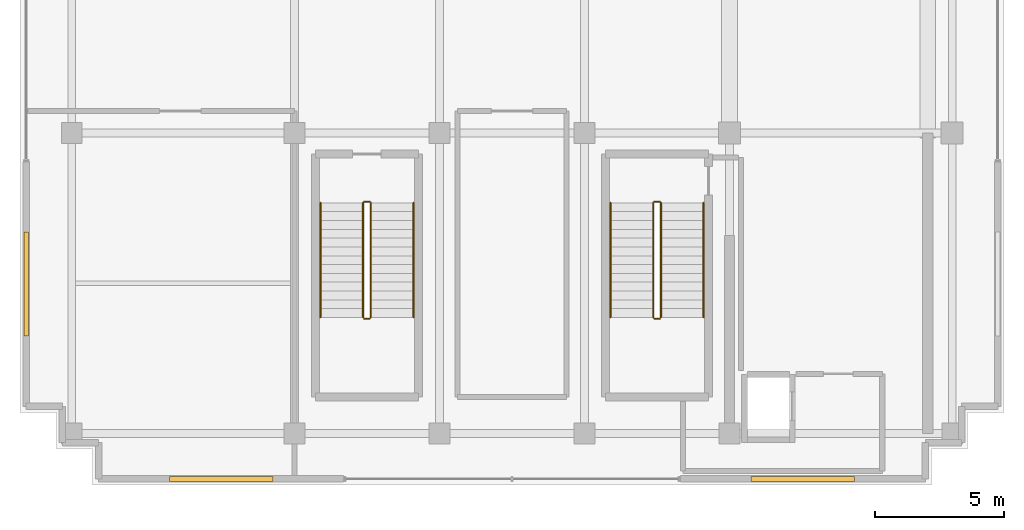
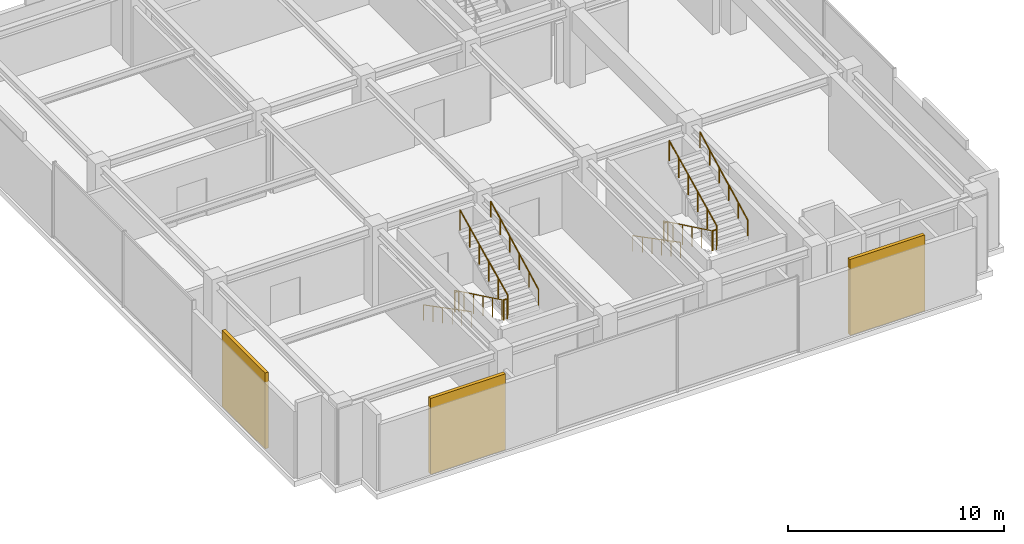
# One storey, part 16 of 18: 12 railings, 3 shading devices.
"""IFC4 building model written with IfcOpenShell, lengths in metres."""

from ifc_helpers import new_model, si_unit, direction, frame, origin, origin_2d, place, context, subcontext, project, spatial, rectangle, circle, extrude, source, transform, mapped, material, layer, layer_set, type_object, element, save


model = new_model("IFC4")

# Units and contexts
model_context = context("Model", 3, precision=1e-05, world=origin(), true_north=direction((0.0, 1.0)))
body_context = subcontext(model_context, "Body", "Model", "MODEL_VIEW")
ifc_project = project(units=[si_unit("LENGTHUNIT", "METRE"), si_unit("AREAUNIT", "SQUARE_METRE"), si_unit("VOLUMEUNIT", "CUBIC_METRE"), si_unit("PLANEANGLEUNIT", "RADIAN"), si_unit("MASSUNIT", "GRAM", prefix="KILO")], contexts=[model_context])

# Site, building, storey
site_placement = place(None, origin())
site = spatial("IfcSite", under=ifc_project, at=site_placement, CompositionType="ELEMENT")
building_placement = place(site_placement, origin())
building = spatial("IfcBuilding", under=site, at=building_placement, Name="Nahalor Promenade Grand Hotel", CompositionType="ELEMENT")
storey_placement = place(building_placement, frame((0.0, 0.0, 366.25)))
storey = spatial("IfcBuildingStorey", under=building, at=storey_placement, Name="L93", CompositionType="ELEMENT", Elevation=366.25)

# Railings
ifc_material_1 = material(Name="Steel S355JR", Category="steel")
railing_type_1 = type_object("IfcRailingType", Name="Steel Stair Guardrail 1150 mm", PredefinedType="GUARDRAIL", material=ifc_material_1)
railing_1_placement = place(storey_placement, frame((5.449951171875, -8.10009765625, 0.164306640625)))
element("IfcRailing", 1, at=railing_1_placement, inside=storey, type_object=railing_type_1, Name="L93 ST2 stair guard 1", PredefinedType="GUARDRAIL", context=body_context, shape_type="SweptSolid", body=[
    extrude(circle(Radius=0.024048, at=origin_2d()), frame((0.0, 0.0, 1.1259765625), z_axis=(0.0, -0.900393116817, 0.435077274962), x_axis=(1.0, 0.0, 0.0)), (0.0, 0.0, 1.0), 4.908935546875),
    extrude(circle(Radius=0.020996, at=origin_2d()), origin(), (0.0, 0.0, 1.0), 1.099853515625),
    extrude(circle(Radius=0.020996, at=origin_2d()), frame((0.0, -0.884033203125, 0.42724609375)), (0.0, 0.0, 1.0), 1.099853515625),
    extrude(circle(Radius=0.020996, at=origin_2d()), frame((0.0, -1.76806640625, 0.854248046875)), (0.0, 0.0, 1.0), 1.099853515625),
    extrude(circle(Radius=0.020996, at=origin_2d()), frame((0.0, -2.65185546875, 1.281494140625)), (0.0, 0.0, 1.0), 1.099853515625),
    extrude(circle(Radius=0.020996, at=origin_2d()), frame((0.0, -3.535888671875, 1.70849609375)), (0.0, 0.0, 1.0), 1.099853515625),
    extrude(circle(Radius=0.020996, at=origin_2d()), frame((0.0, -4.419921875, 2.1357421875)), (0.0, 0.0, 1.0), 1.099853515625),
])
railing_2_placement = place(storey_placement, frame((5.5, -12.570068359375, 2.300048828125)))
element("IfcRailing", 2, at=railing_2_placement, inside=storey, type_object=railing_type_1, Name="L93 ST2 stair guard 2", PredefinedType="GUARDRAIL", context=body_context, shape_type="SweptSolid", body=[
    extrude(circle(Radius=0.024048, at=origin_2d()), frame((0.0, 0.0, 1.1259765625), z_axis=(1.0, 0.0, 0.0), x_axis=(0.0, 1.0, 0.0)), (0.0, 0.0, 1.0), 0.199951171875),
    extrude(circle(Radius=0.020996, at=origin_2d()), origin(), (0.0, 0.0, 1.0), 1.099853515625),
    extrude(circle(Radius=0.020996, at=origin_2d()), frame((0.199951171875, 0.0, 0.0)), (0.0, 0.0, 1.0), 1.099853515625),
])
railing_3_placement = place(storey_placement, frame((5.75, -12.52001953125, 2.46435546875)))
element("IfcRailing", 3, at=railing_3_placement, inside=storey, type_object=railing_type_1, Name="L93 ST2 stair guard 3", PredefinedType="GUARDRAIL", context=body_context, shape_type="SweptSolid", body=[
    extrude(circle(Radius=0.024048, at=origin_2d()), frame((0.0, 0.0, 1.1259765625), z_axis=(0.0, 0.900393116817, 0.435077274962), x_axis=(-1.0, 0.0, 0.0)), (0.0, 0.0, 1.0), 4.908935546875),
    extrude(circle(Radius=0.020996, at=origin_2d()), origin(), (0.0, 0.0, 1.0), 1.099853515625),
    extrude(circle(Radius=0.020996, at=origin_2d()), frame((0.0, 0.884033203125, 0.42724609375)), (0.0, 0.0, 1.0), 1.099853515625),
    extrude(circle(Radius=0.020996, at=origin_2d()), frame((0.0, 1.76806640625, 0.854248046875)), (0.0, 0.0, 1.0), 1.099853515625),
    extrude(circle(Radius=0.020996, at=origin_2d()), frame((0.0, 2.65185546875, 1.281494140625)), (0.0, 0.0, 1.0), 1.099853515625),
    extrude(circle(Radius=0.020996, at=origin_2d()), frame((0.0, 3.535888671875, 1.70849609375)), (0.0, 0.0, 1.0), 1.099853515625),
    extrude(circle(Radius=0.020996, at=origin_2d()), frame((0.0, 4.419921875, 2.1357421875)), (0.0, 0.0, 1.0), 1.099853515625),
])
railing_4_placement = place(storey_placement, frame((5.5, -8.050048828125, 0.0)))
element("IfcRailing", 4, at=railing_4_placement, inside=storey, type_object=railing_type_1, Name="L93 ST2 stair guard 4", PredefinedType="GUARDRAIL", context=body_context, shape_type="SweptSolid", body=[
    extrude(circle(Radius=0.024048, at=origin_2d()), frame((0.0, 0.0, 1.1259765625), z_axis=(1.0, 0.0, 0.0), x_axis=(0.0, 1.0, 0.0)), (0.0, 0.0, 1.0), 0.199951171875),
    extrude(circle(Radius=0.020996, at=origin_2d()), origin(), (0.0, 0.0, 1.0), 1.099853515625),
    extrude(circle(Radius=0.020996, at=origin_2d()), frame((0.199951171875, 0.0, 0.0)), (0.0, 0.0, 1.0), 1.099853515625),
])
railing_5_placement = place(storey_placement, frame((-5.75, -8.10009765625, 0.164306640625)))
element("IfcRailing", 5, at=railing_5_placement, inside=storey, type_object=railing_type_1, Name="L93 ST3 stair guard 1", PredefinedType="GUARDRAIL", context=body_context, shape_type="SweptSolid", body=[
    extrude(circle(Radius=0.024048, at=origin_2d()), frame((0.0, 0.0, 1.1259765625), z_axis=(0.0, -0.900393116817, 0.435077274962), x_axis=(1.0, 0.0, 0.0)), (0.0, 0.0, 1.0), 4.908935546875),
    extrude(circle(Radius=0.020996, at=origin_2d()), origin(), (0.0, 0.0, 1.0), 1.099853515625),
    extrude(circle(Radius=0.020996, at=origin_2d()), frame((0.0, -0.884033203125, 0.42724609375)), (0.0, 0.0, 1.0), 1.099853515625),
    extrude(circle(Radius=0.020996, at=origin_2d()), frame((0.0, -1.76806640625, 0.854248046875)), (0.0, 0.0, 1.0), 1.099853515625),
    extrude(circle(Radius=0.020996, at=origin_2d()), frame((0.0, -2.65185546875, 1.281494140625)), (0.0, 0.0, 1.0), 1.099853515625),
    extrude(circle(Radius=0.020996, at=origin_2d()), frame((0.0, -3.535888671875, 1.70849609375)), (0.0, 0.0, 1.0), 1.099853515625),
    extrude(circle(Radius=0.020996, at=origin_2d()), frame((0.0, -4.419921875, 2.1357421875)), (0.0, 0.0, 1.0), 1.099853515625),
])
railing_6_placement = place(storey_placement, frame((-5.699951171875, -12.570068359375, 2.300048828125)))
element("IfcRailing", 6, at=railing_6_placement, inside=storey, type_object=railing_type_1, Name="L93 ST3 stair guard 2", PredefinedType="GUARDRAIL", context=body_context, shape_type="SweptSolid", body=[
    extrude(circle(Radius=0.024048, at=origin_2d()), frame((0.0, 0.0, 1.1259765625), z_axis=(1.0, 0.0, 0.0), x_axis=(0.0, 1.0, 0.0)), (0.0, 0.0, 1.0), 0.199951171875),
    extrude(circle(Radius=0.020996, at=origin_2d()), origin(), (0.0, 0.0, 1.0), 1.099853515625),
    extrude(circle(Radius=0.020996, at=origin_2d()), frame((0.199951171875, 0.0, 0.0)), (0.0, 0.0, 1.0), 1.099853515625),
])
railing_7_placement = place(storey_placement, frame((-5.449951171875, -12.52001953125, 2.46435546875)))
element("IfcRailing", 7, at=railing_7_placement, inside=storey, type_object=railing_type_1, Name="L93 ST3 stair guard 3", PredefinedType="GUARDRAIL", context=body_context, shape_type="SweptSolid", body=[
    extrude(circle(Radius=0.024048, at=origin_2d()), frame((0.0, 0.0, 1.1259765625), z_axis=(0.0, 0.900393116817, 0.435077274962), x_axis=(-1.0, 0.0, 0.0)), (0.0, 0.0, 1.0), 4.908935546875),
    extrude(circle(Radius=0.020996, at=origin_2d()), origin(), (0.0, 0.0, 1.0), 1.099853515625),
    extrude(circle(Radius=0.020996, at=origin_2d()), frame((0.0, 0.884033203125, 0.42724609375)), (0.0, 0.0, 1.0), 1.099853515625),
    extrude(circle(Radius=0.020996, at=origin_2d()), frame((0.0, 1.76806640625, 0.854248046875)), (0.0, 0.0, 1.0), 1.099853515625),
    extrude(circle(Radius=0.020996, at=origin_2d()), frame((0.0, 2.65185546875, 1.281494140625)), (0.0, 0.0, 1.0), 1.099853515625),
    extrude(circle(Radius=0.020996, at=origin_2d()), frame((0.0, 3.535888671875, 1.70849609375)), (0.0, 0.0, 1.0), 1.099853515625),
    extrude(circle(Radius=0.020996, at=origin_2d()), frame((0.0, 4.419921875, 2.1357421875)), (0.0, 0.0, 1.0), 1.099853515625),
])
railing_8_placement = place(storey_placement, frame((-5.699951171875, -8.050048828125, 0.0)))
element("IfcRailing", 8, at=railing_8_placement, inside=storey, type_object=railing_type_1, Name="L93 ST3 stair guard 4", PredefinedType="GUARDRAIL", context=body_context, shape_type="SweptSolid", body=[
    extrude(circle(Radius=0.024048, at=origin_2d()), frame((0.0, 0.0, 1.1259765625), z_axis=(1.0, 0.0, 0.0), x_axis=(0.0, 1.0, 0.0)), (0.0, 0.0, 1.0), 0.199951171875),
    extrude(circle(Radius=0.020996, at=origin_2d()), origin(), (0.0, 0.0, 1.0), 1.099853515625),
    extrude(circle(Radius=0.020996, at=origin_2d()), frame((0.199951171875, 0.0, 0.0)), (0.0, 0.0, 1.0), 1.099853515625),
])
railing_type_2 = type_object("IfcRailingType", Name="Steel Stair Handrail 900 mm", PredefinedType="HANDRAIL", material=ifc_material_1)
railing_9_placement = place(storey_placement, frame((3.800048828125, -8.10009765625, 0.164306640625)))
element("IfcRailing", 9, at=railing_9_placement, inside=storey, type_object=railing_type_2, Name="L93 ST2 stair handrail 1", PredefinedType="HANDRAIL", context=body_context, shape_type="SweptSolid", body=[
    extrude(circle(Radius=0.024048, at=origin_2d()), frame((0.0, 0.0, 0.8759765625), z_axis=(0.0, -0.887077971717, 0.461619618402), x_axis=(1.0, 0.0, 0.0)), (0.0, 0.0, 1.0), 4.982666015625),
    extrude(circle(Radius=0.020996, at=origin_2d()), origin(), (0.0, 0.0, 1.0), 0.849853515625),
    extrude(circle(Radius=0.020996, at=origin_2d()), frame((0.0, -0.884033203125, 0.4599609375)), (0.0, 0.0, 1.0), 0.849853515625),
    extrude(circle(Radius=0.020996, at=origin_2d()), frame((0.0, -1.76806640625, 0.919921875)), (0.0, 0.0, 1.0), 0.849853515625),
    extrude(circle(Radius=0.020996, at=origin_2d()), frame((0.0, -2.65185546875, 1.380126953125)), (0.0, 0.0, 1.0), 0.849853515625),
    extrude(circle(Radius=0.020996, at=origin_2d()), frame((0.0, -3.535888671875, 1.840087890625)), (0.0, 0.0, 1.0), 0.849853515625),
    extrude(circle(Radius=0.020996, at=origin_2d()), frame((0.0, -4.419921875, 2.300048828125)), (0.0, 0.0, 1.0), 0.849853515625),
])
railing_10_placement = place(storey_placement, frame((7.39990234375, -12.52001953125, 2.46435546875)))
element("IfcRailing", 10, at=railing_10_placement, inside=storey, type_object=railing_type_2, Name="L93 ST2 stair handrail 2", PredefinedType="HANDRAIL", context=body_context, shape_type="SweptSolid", body=[
    extrude(circle(Radius=0.024048, at=origin_2d()), frame((0.0, 0.0, 0.8759765625), z_axis=(0.0, 0.887077971717, 0.461619618402), x_axis=(-1.0, 0.0, 0.0)), (0.0, 0.0, 1.0), 4.982666015625),
    extrude(circle(Radius=0.020996, at=origin_2d()), origin(), (0.0, 0.0, 1.0), 0.849853515625),
    extrude(circle(Radius=0.020996, at=origin_2d()), frame((0.0, 0.884033203125, 0.4599609375)), (0.0, 0.0, 1.0), 0.849853515625),
    extrude(circle(Radius=0.020996, at=origin_2d()), frame((0.0, 1.76806640625, 0.919921875)), (0.0, 0.0, 1.0), 0.849853515625),
    extrude(circle(Radius=0.020996, at=origin_2d()), frame((0.0, 2.65185546875, 1.380126953125)), (0.0, 0.0, 1.0), 0.849853515625),
    extrude(circle(Radius=0.020996, at=origin_2d()), frame((0.0, 3.535888671875, 1.840087890625)), (0.0, 0.0, 1.0), 0.849853515625),
    extrude(circle(Radius=0.020996, at=origin_2d()), frame((0.0, 4.419921875, 2.300048828125)), (0.0, 0.0, 1.0), 0.849853515625),
])
railing_11_placement = place(storey_placement, frame((-7.39990234375, -8.10009765625, 0.164306640625)))
element("IfcRailing", 11, at=railing_11_placement, inside=storey, type_object=railing_type_2, Name="L93 ST3 stair handrail 1", PredefinedType="HANDRAIL", context=body_context, shape_type="SweptSolid", body=[
    extrude(circle(Radius=0.024048, at=origin_2d()), frame((0.0, 0.0, 0.8759765625), z_axis=(0.0, -0.887077971717, 0.461619618402), x_axis=(1.0, 0.0, 0.0)), (0.0, 0.0, 1.0), 4.982666015625),
    extrude(circle(Radius=0.020996, at=origin_2d()), origin(), (0.0, 0.0, 1.0), 0.849853515625),
    extrude(circle(Radius=0.020996, at=origin_2d()), frame((0.0, -0.884033203125, 0.4599609375)), (0.0, 0.0, 1.0), 0.849853515625),
    extrude(circle(Radius=0.020996, at=origin_2d()), frame((0.0, -1.76806640625, 0.919921875)), (0.0, 0.0, 1.0), 0.849853515625),
    extrude(circle(Radius=0.020996, at=origin_2d()), frame((0.0, -2.65185546875, 1.380126953125)), (0.0, 0.0, 1.0), 0.849853515625),
    extrude(circle(Radius=0.020996, at=origin_2d()), frame((0.0, -3.535888671875, 1.840087890625)), (0.0, 0.0, 1.0), 0.849853515625),
    extrude(circle(Radius=0.020996, at=origin_2d()), frame((0.0, -4.419921875, 2.300048828125)), (0.0, 0.0, 1.0), 0.849853515625),
])
railing_12_placement = place(storey_placement, frame((-3.800048828125, -12.52001953125, 2.46435546875)))
element("IfcRailing", 12, at=railing_12_placement, inside=storey, type_object=railing_type_2, Name="L93 ST3 stair handrail 2", PredefinedType="HANDRAIL", context=body_context, shape_type="SweptSolid", body=[
    extrude(circle(Radius=0.024048, at=origin_2d()), frame((0.0, 0.0, 0.8759765625), z_axis=(0.0, 0.887077971717, 0.461619618402), x_axis=(-1.0, 0.0, 0.0)), (0.0, 0.0, 1.0), 4.982666015625),
    extrude(circle(Radius=0.020996, at=origin_2d()), origin(), (0.0, 0.0, 1.0), 0.849853515625),
    extrude(circle(Radius=0.020996, at=origin_2d()), frame((0.0, 0.884033203125, 0.4599609375)), (0.0, 0.0, 1.0), 0.849853515625),
    extrude(circle(Radius=0.020996, at=origin_2d()), frame((0.0, 1.76806640625, 0.919921875)), (0.0, 0.0, 1.0), 0.849853515625),
    extrude(circle(Radius=0.020996, at=origin_2d()), frame((0.0, 2.65185546875, 1.380126953125)), (0.0, 0.0, 1.0), 0.849853515625),
    extrude(circle(Radius=0.020996, at=origin_2d()), frame((0.0, 3.535888671875, 1.840087890625)), (0.0, 0.0, 1.0), 0.849853515625),
    extrude(circle(Radius=0.020996, at=origin_2d()), frame((0.0, 4.419921875, 2.300048828125)), (0.0, 0.0, 1.0), 0.849853515625),
])

# Shading devices
ifc_material_2 = material(Name="Anodised Bronze Aluminium EN AW-6063 T6", Category="aluminium")
ifc_layer = layer(ifc_material_2, 0.179931640625)
ifc_layer_set = layer_set([ifc_layer], Name="Anodised Bronze Aluminium EN AW-6063 T6")
shading_device_type = type_object("IfcShadingDeviceType", Name="Shade-PlantLouvre-Bronze", PredefinedType="USERDEFINED", material=ifc_layer_set)
shared_shape = source(origin(), body_context, "Body", "SweptSolid", [
    extrude(rectangle(XDim=4.0, YDim=0.179931640625, at=origin_2d()), origin(), (0.0, 0.0, 1.0), 4.300048828125),
])
for number, where, z_axis, x_axis, name in (
    (13, (-11.22998046875, -18.760009765625, 0.0), (0.0, 0.0, 1.0), (1.0, 0.0, 0.0), "LV-L93-SL"),
    (14, (11.22998046875, -18.760009765625, 0.0), (0.0, 0.0, 1.0), (1.0, 0.0, 0.0), "LV-L93-SR"),
    (15, (-18.760009765625, -11.22998046875, 0.0), (0.0, 0.0, 1.0), (0.0, 1.0, 0.0), "LV-L93-WL"),
):
    element("IfcShadingDevice", number, at=place(storey_placement, frame(where, z_axis=z_axis, x_axis=x_axis)), inside=storey, type_object=shading_device_type, Name=name, ObjectType="LOUVRE", PredefinedType="USERDEFINED", context=body_context, shape_type="MappedRepresentation", body=[
        mapped(shared_shape, transform((0.0, 0.0, 0.0), scale=1.0)),
    ])

save(model, "model.ifc")
